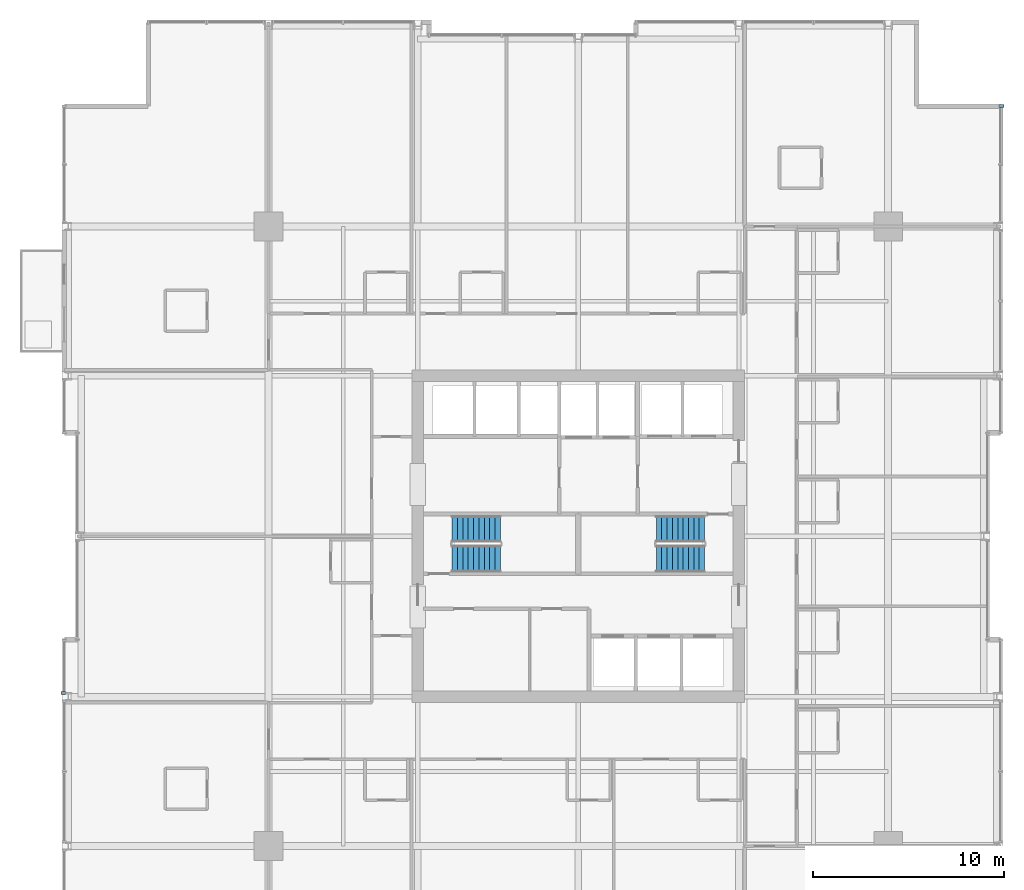
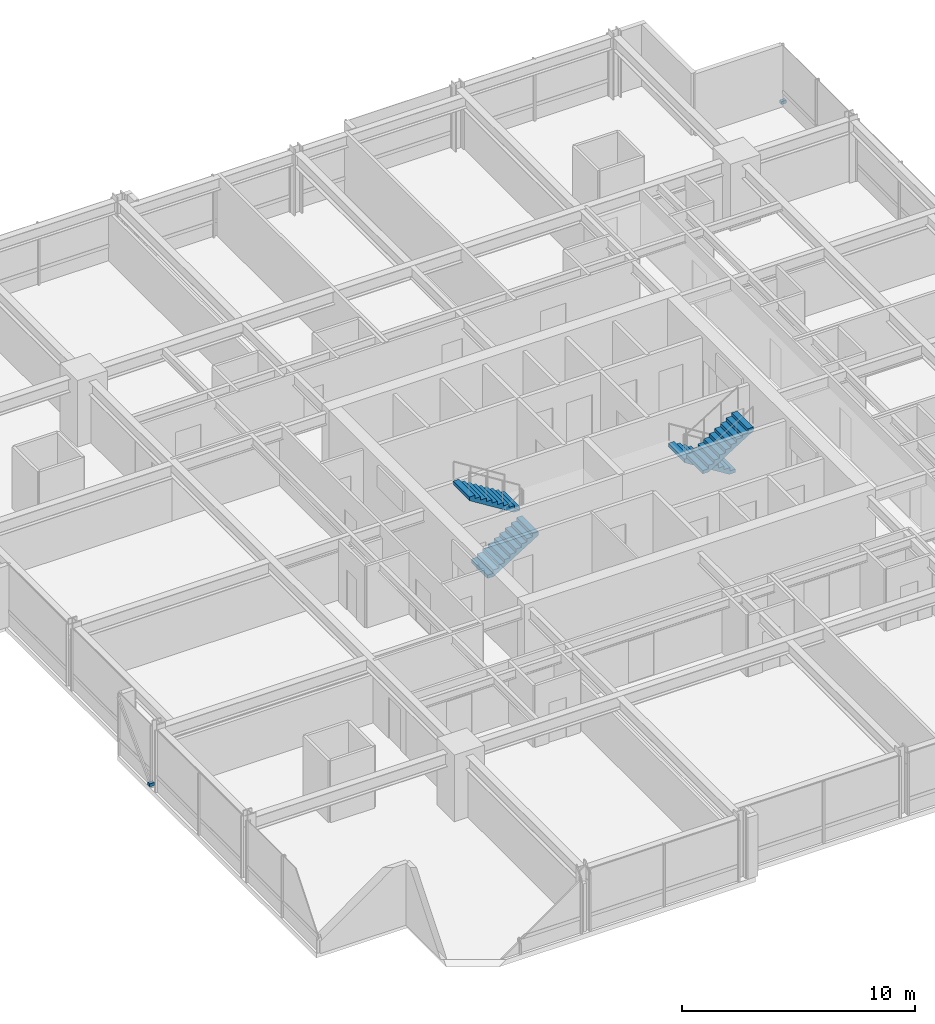
# One storey, part 32 of 34: 4 stair flights, 2 discrete accessories, 2 elements without a shape of their own.
"""IFC4 building model written with IfcOpenShell, lengths in metres."""

import ifcopenshell
import ifcopenshell.guid

model = None  # the IFC model being written
_history = None  # IfcOwnerHistory: only IFC2X3 demands one
_inside = {}  # id of a spatial element -> (the spatial element, [elements in it])
_under = {}  # id of a project, library or spatial element -> (it, [spatial elements below it])
_declared = {}  # id of a project -> (the project, [libraries it declares])
_typed = {}  # id of a type object -> (the type object, [elements of that type])
_made_of = {}  # id of a material, layer set ... -> (it, [elements and type objects made of it])


def new_model(schema):
    """Start an empty IFC model of exactly this schema.

    Asked for "IFC4X3", IfcOpenShell would pick the latest addendum, in which some entities
    have other attributes; the version numbers below select the first issue.
    IFC2X3 requires an IfcOwnerHistory on every rooted entity: one is made here for all.
    """
    global model, _history
    if schema == "IFC4X3":
        model = ifcopenshell.file(schema_version=(4, 3, 0, 0))
    else:
        model = ifcopenshell.file(schema=schema)
    _inside.clear()
    _under.clear()
    _declared.clear()
    _typed.clear()
    _made_of.clear()
    _history = None
    if model.schema == "IFC2X3":
        org = make("IfcOrganization", Name="unknown")
        user = make(
            "IfcPersonAndOrganization",
            ThePerson=make("IfcPerson", FamilyName="unknown"),
            TheOrganization=org,
        )
        app = make(
            "IfcApplication",
            ApplicationDeveloper=org,
            Version="unknown",
            ApplicationFullName="unknown",
            ApplicationIdentifier="unknown",
        )
        _history = make(
            "IfcOwnerHistory",
            OwningUser=user,
            OwningApplication=app,
            ChangeAction="ADDED",
            CreationDate=0,
        )
    return model


def make(cls, **values):
    """One entity of the class cls with the attributes given. An attribute that is None is left unset."""
    return model.create_entity(
        cls, **{name: value for name, value in values.items() if value is not None}
    )


def rooted(cls, **values):
    """An entity with a GlobalId (a new one), such as an element, a storey or a relation."""
    return make(cls, GlobalId=ifcopenshell.guid.new(), OwnerHistory=_history, **values)


def si_unit(unit_type, name, prefix=None):
    """IfcSIUnit, for example si_unit("LENGTHUNIT", "METRE", prefix="MILLI")."""
    return make("IfcSIUnit", UnitType=unit_type, Prefix=prefix, Name=name)


def assignment(units):
    """IfcUnitAssignment: the units of a project."""
    return None if units is None else make("IfcUnitAssignment", Units=units)


def point(xyz):
    """IfcCartesianPoint."""
    return None if xyz is None else make("IfcCartesianPoint", Coordinates=xyz)


def direction(xyz):
    """IfcDirection."""
    return None if xyz is None else make("IfcDirection", DirectionRatios=xyz)


def frame(location, z_axis=None, x_axis=None):
    """IfcAxis2Placement3D, a coordinate frame: its origin and axes. An axis left out is left unset."""
    return make(
        "IfcAxis2Placement3D",
        Location=point(location),
        Axis=direction(z_axis),
        RefDirection=direction(x_axis),
    )


def frame_2d(location, x_axis=None):
    """IfcAxis2Placement2D, a coordinate frame in the plane: its origin and x axis."""
    return make(
        "IfcAxis2Placement2D", Location=point(location), RefDirection=direction(x_axis)
    )


def origin():
    """The frame at (0, 0, 0) with its axes left unset."""
    return frame((0.0, 0.0, 0.0))


def origin_2d():
    """The frame at (0, 0) in the plane with its x axis left unset."""
    return frame_2d((0.0, 0.0))


def place(relative_to, where):
    """IfcLocalPlacement: puts the frame where relative to a parent placement (None: the world)."""
    return make(
        "IfcLocalPlacement", PlacementRelTo=relative_to, RelativePlacement=where
    )


def context(
    kind, dimensions, precision=None, world=None, true_north=None, identifier=None
):
    """IfcGeometricRepresentationContext, for example the 3D "Model" context."""
    return make(
        "IfcGeometricRepresentationContext",
        ContextIdentifier=identifier,
        ContextType=kind,
        CoordinateSpaceDimension=dimensions,
        Precision=precision,
        WorldCoordinateSystem=world,
        TrueNorth=true_north,
    )


def subcontext(parent, identifier, kind, view, scale=None):
    """IfcGeometricRepresentationSubContext, for example "Body" below "Model"."""
    return make(
        "IfcGeometricRepresentationSubContext",
        ContextIdentifier=identifier,
        ContextType=kind,
        ParentContext=parent,
        TargetScale=scale,
        TargetView=view,
    )


def project(units=None, contexts=None):
    """IfcProject with its units and contexts."""
    return rooted(
        "IfcProject",
        Name="project",
        RepresentationContexts=contexts,
        UnitsInContext=assignment(units),
    )


def spatial(cls, under=None, at=None, **own):
    """A site, building, storey or space (cls), placed at a placement, below another one or the project."""
    s = rooted(cls, ObjectPlacement=at, **own)
    if under is not None:
        _under.setdefault(under.id(), (under, []))[1].append(s)
    return s


def polyline(points):
    """IfcPolyline through the points."""
    return make("IfcPolyline", Points=[point(p) for p in points])


def profile(cls, at=None, kind="AREA", **sizes):
    """A parametric profile (cls). Its sizes go by their IFC names, for example OverallWidth=200.0."""
    return make(cls, ProfileType=kind, Position=at, **sizes)


def rectangle(**sizes):
    """IfcRectangleProfileDef."""
    return profile("IfcRectangleProfileDef", **sizes)


def outline(outer, holes=None, kind="AREA"):
    """IfcArbitraryClosedProfileDef: a profile drawn as a closed curve; with holes, ...WithVoids."""
    if holes is None:
        return make("IfcArbitraryClosedProfileDef", ProfileType=kind, OuterCurve=outer)
    return make(
        "IfcArbitraryProfileDefWithVoids",
        ProfileType=kind,
        OuterCurve=outer,
        InnerCurves=holes,
    )


def extrude(swept, where, along, depth):
    """IfcExtrudedAreaSolid: the profile swept, set in the frame where, extruded along a direction by depth."""
    return make(
        "IfcExtrudedAreaSolid",
        SweptArea=swept,
        Position=where,
        ExtrudedDirection=direction(along),
        Depth=depth,
    )


def shape(context_of_items, identifier, shape_type, items):
    """IfcShapeRepresentation: the items that make up one representation, for example the "Body"."""
    return make(
        "IfcShapeRepresentation",
        ContextOfItems=context_of_items,
        RepresentationIdentifier=identifier,
        RepresentationType=shape_type,
        Items=items,
    )


def material(Name=None, Category=None):
    """IfcMaterial."""
    return make("IfcMaterial", Name=Name, Category=Category)


def made_of(thing, what):
    """Note that an element or type object is made of a material, layer set ...; save() writes the relation."""
    if what is not None:
        _made_of.setdefault(what.id(), (what, []))[1].append(thing)
    return thing


def type_object(cls, material=None, **own):
    """A type object (cls), such as IfcWallType, which elements share."""
    return made_of(rooted(cls, **own), material)


def element(
    cls,
    number,
    at=None,
    inside=None,
    cuts=None,
    type_object=None,
    material=None,
    context=None,
    identifier="Body",
    shape_type=None,
    held_by="IfcProductDefinitionShape",
    body=None,
    shapes=None,
    **own,
):
    """One element of the class cls, such as IfcWall. Its Tag is "e" and its number.

    at: its placement. inside: the storey or other place that contains it. cuts: it is an
    opening in that element (IfcRelVoidsElement). A single representation is given by context,
    identifier, shape_type and body (its items); several are given by shapes. held_by: the class
    of the entity that holds the representations. save() writes the other relations.
    """
    e = rooted(cls, Tag="e%d" % number, ObjectPlacement=at, **own)
    if body is not None:
        shapes = [shape(context, identifier, shape_type, body)]
    if shapes is not None:
        e.Representation = make(held_by, Representations=shapes)
    if inside is not None:
        _inside.setdefault(inside.id(), (inside, []))[1].append(e)
    if cuts is not None:
        rooted(
            "IfcRelVoidsElement", RelatingBuildingElement=cuts, RelatedOpeningElement=e
        )
    if type_object is not None:
        _typed.setdefault(type_object.id(), (type_object, []))[1].append(e)
    return made_of(e, material)


def aggregate(whole, parts):
    """IfcRelAggregates: a whole, such as a stair, and the parts it consists of."""
    return rooted("IfcRelAggregates", RelatingObject=whole, RelatedObjects=parts)


def save(model, path):
    """Write the relations noted so far, then the file.

    IfcRelAggregates (storeys below a building ...), IfcRelContainedInSpatialStructure (elements
    in a storey), IfcRelDefinesByType, IfcRelAssociatesMaterial and IfcRelDeclares: one each for
    every whole, place, type object, material and project.
    """
    for whole, parts in _under.values():
        aggregate(whole, parts)
    for where, things in _inside.values():
        rooted(
            "IfcRelContainedInSpatialStructure",
            RelatedElements=things,
            RelatingStructure=where,
        )
    for kind, things in _typed.values():
        rooted("IfcRelDefinesByType", RelatedObjects=things, RelatingType=kind)
    for what, things in _made_of.values():
        rooted("IfcRelAssociatesMaterial", RelatedObjects=things, RelatingMaterial=what)
    for by, libraries in _declared.values():
        rooted("IfcRelDeclares", RelatingContext=by, RelatedDefinitions=libraries)
    model.write(path)


model = new_model("IFC4")

# Units and contexts
model_context = context("Model", 3, precision=1e-05, world=origin(), true_north=direction((0.0, 1.0)))
body_context = subcontext(model_context, "Body", "Model", "MODEL_VIEW")
ifc_project = project(units=[si_unit("LENGTHUNIT", "METRE"), si_unit("AREAUNIT", "SQUARE_METRE"), si_unit("VOLUMEUNIT", "CUBIC_METRE"), si_unit("PLANEANGLEUNIT", "RADIAN"), si_unit("MASSUNIT", "GRAM", prefix="KILO")], contexts=[model_context])

# Site, building, storey
site_placement = place(None, origin())
site = spatial("IfcSite", under=ifc_project, at=site_placement, CompositionType="ELEMENT")
building_placement = place(site_placement, origin())
building = spatial("IfcBuilding", under=site, at=building_placement, Name="Drelvath Grand Hotel", CompositionType="ELEMENT")
storey_placement = place(building_placement, frame((0.0, 0.0, 126.800048828125)))
storey = spatial("IfcBuildingStorey", under=building, at=storey_placement, Name="L32", CompositionType="ELEMENT", Elevation=126.800048828125)

# Stair, stair flights
ifc_material_1 = material(Name="Concrete C40/50", Category="concrete")
stair_type = type_object("IfcStairType", Name="Dogleg Exit Stair W1400-R175.0", PredefinedType="HALF_TURN_STAIR", material=ifc_material_1)
stair_1_placement = place(storey_placement, origin())
stair_1 = element("IfcStair", 1, at=stair_1_placement, inside=storey, type_object=stair_type, Name="L32 Core Exit Stair ST-1", PredefinedType="HALF_TURN_STAIR")
stair_flight_type = type_object("IfcStairFlightType", Name="Concrete Stair Flight W1400-R175.0", PredefinedType="STRAIGHT", material=ifc_material_1)
stair_flight_1_placement = place(storey_placement, frame((-6.60009765625, 25.820068359375, 0.0), z_axis=(0.0, 0.0, 1.0), x_axis=(1.0, 0.0, 0.0)))
stair_flight_1 = element("IfcStairFlight", 2, at=stair_flight_1_placement, type_object=stair_flight_type, Name="ST-1 flight 1", NumberOfRisers=10, NumberOfTreads=9, PredefinedType="STRAIGHT", RiserHeight=0.175, TreadLength=0.28, context=body_context, shape_type="SweptSolid", body=[
    extrude(outline(polyline([(0.0, 0.0), (0.0, 0.175048828125), (0.280029296875, 0.175048828125), (0.280029296875, 0.35009765625), (0.56005859375, 0.35009765625), (0.56005859375, 0.52490234375), (0.840087890625, 0.52490234375), (0.840087890625, 0.699951171875), (1.1201171875, 0.699951171875), (1.1201171875, 0.875), (1.39990234375, 0.875), (1.39990234375, 1.050048828125), (1.679931640625, 1.050048828125), (1.679931640625, 1.22509765625), (1.9599609375, 1.22509765625), (1.9599609375, 1.39990234375), (2.239990234375, 1.39990234375), (2.239990234375, 1.574951171875), (2.52001953125, 1.574951171875), (2.52001953125, 1.75), (2.52001953125, 1.386474609375), (0.3017578125, 0.0), (0.0, 0.0)])), frame((0.0, 0.699951171875, 0.0), z_axis=(0.0, -1.0, 0.0), x_axis=(1.0, 0.0, 0.0)), (0.0, 0.0, 1.0), 1.39990234375),
])
stair_flight_2_placement = place(storey_placement, frame((-4.080078125, 27.3798828125, 1.75), z_axis=(0.0, 0.0, 1.0), x_axis=(-1.0, 0.0, 0.0)))
stair_flight_2 = element("IfcStairFlight", 3, at=stair_flight_2_placement, type_object=stair_flight_type, Name="ST-1 flight 2", NumberOfRisers=10, NumberOfTreads=9, PredefinedType="STRAIGHT", RiserHeight=0.175, TreadLength=0.28, context=body_context, shape_type="SweptSolid", body=[
    extrude(outline(polyline([(0.0, 0.0), (0.0, 0.175048828125), (0.280029296875, 0.175048828125), (0.280029296875, 0.35009765625), (0.56005859375, 0.35009765625), (0.56005859375, 0.52490234375), (0.840087890625, 0.52490234375), (0.840087890625, 0.699951171875), (1.1201171875, 0.699951171875), (1.1201171875, 0.875), (1.39990234375, 0.875), (1.39990234375, 1.050048828125), (1.679931640625, 1.050048828125), (1.679931640625, 1.22509765625), (1.9599609375, 1.22509765625), (1.9599609375, 1.39990234375), (2.239990234375, 1.39990234375), (2.239990234375, 1.574951171875), (2.52001953125, 1.574951171875), (2.52001953125, 1.75), (2.52001953125, 1.386474609375), (0.3017578125, 0.0), (0.0, 0.0)])), frame((0.0, 0.699951171875, 0.0), z_axis=(0.0, -1.0, 0.0), x_axis=(1.0, 0.0, 0.0)), (0.0, 0.0, 1.0), 1.39990234375),
])
aggregate(stair_1, [stair_flight_1, stair_flight_2])

stair_2_placement = place(storey_placement, origin())
stair_2 = element("IfcStair", 4, at=stair_2_placement, inside=storey, type_object=stair_type, Name="L32 Core Exit Stair ST-2", PredefinedType="HALF_TURN_STAIR")
stair_flight_3_placement = place(storey_placement, frame((6.60009765625, 27.3798828125, 0.0), z_axis=(0.0, 0.0, 1.0), x_axis=(-1.0, 0.0, 0.0)))
stair_flight_3 = element("IfcStairFlight", 5, at=stair_flight_3_placement, type_object=stair_flight_type, Name="ST-2 flight 1", NumberOfRisers=10, NumberOfTreads=9, PredefinedType="STRAIGHT", RiserHeight=0.175, TreadLength=0.28, context=body_context, shape_type="SweptSolid", body=[
    extrude(outline(polyline([(0.0, 0.0), (0.0, 0.175048828125), (0.280029296875, 0.175048828125), (0.280029296875, 0.35009765625), (0.56005859375, 0.35009765625), (0.56005859375, 0.52490234375), (0.840087890625, 0.52490234375), (0.840087890625, 0.699951171875), (1.1201171875, 0.699951171875), (1.1201171875, 0.875), (1.39990234375, 0.875), (1.39990234375, 1.050048828125), (1.679931640625, 1.050048828125), (1.679931640625, 1.22509765625), (1.9599609375, 1.22509765625), (1.9599609375, 1.39990234375), (2.239990234375, 1.39990234375), (2.239990234375, 1.574951171875), (2.52001953125, 1.574951171875), (2.52001953125, 1.75), (2.52001953125, 1.386474609375), (0.3017578125, 0.0), (0.0, 0.0)])), frame((0.0, 0.699951171875, 0.0), z_axis=(0.0, -1.0, 0.0), x_axis=(1.0, 0.0, 0.0)), (0.0, 0.0, 1.0), 1.39990234375),
])
stair_flight_4_placement = place(storey_placement, frame((4.080078125, 25.820068359375, 1.75), z_axis=(0.0, 0.0, 1.0), x_axis=(1.0, 0.0, 0.0)))
stair_flight_4 = element("IfcStairFlight", 6, at=stair_flight_4_placement, type_object=stair_flight_type, Name="ST-2 flight 2", NumberOfRisers=10, NumberOfTreads=9, PredefinedType="STRAIGHT", RiserHeight=0.175, TreadLength=0.28, context=body_context, shape_type="SweptSolid", body=[
    extrude(outline(polyline([(0.0, 0.0), (0.0, 0.175048828125), (0.280029296875, 0.175048828125), (0.280029296875, 0.35009765625), (0.56005859375, 0.35009765625), (0.56005859375, 0.52490234375), (0.840087890625, 0.52490234375), (0.840087890625, 0.699951171875), (1.1201171875, 0.699951171875), (1.1201171875, 0.875), (1.39990234375, 0.875), (1.39990234375, 1.050048828125), (1.679931640625, 1.050048828125), (1.679931640625, 1.22509765625), (1.9599609375, 1.22509765625), (1.9599609375, 1.39990234375), (2.239990234375, 1.39990234375), (2.239990234375, 1.574951171875), (2.52001953125, 1.574951171875), (2.52001953125, 1.75), (2.52001953125, 1.386474609375), (0.3017578125, 0.0), (0.0, 0.0)])), frame((0.0, 0.699951171875, 0.0), z_axis=(0.0, -1.0, 0.0), x_axis=(1.0, 0.0, 0.0)), (0.0, 0.0, 1.0), 1.39990234375),
])
aggregate(stair_2, [stair_flight_3, stair_flight_4])

# Discrete accessories
ifc_material_2 = material(Name="Stainless Steel Grade 316", Category="steel")
discrete_accessory_type = type_object("IfcDiscreteAccessoryType", Name="Curtain Wall Fin Mounting Bracket Cleat", PredefinedType="BRACKET", material=ifc_material_2)
for number, where, z_axis, x_axis, name in (
    (7, (-26.93994140625, 18.809326171875, 0.10009765625), (0.0, 0.0, 1.0), (0.0, 1.0, 0.0), "L32 Fin Mounting Bracket CW03-L32-WS3-1"),
    (8, (22.139892578125, 49.5, 0.10009765625), (0.0, 0.0, 1.0), (0.0, -1.0, 0.0), "L32 Fin Mounting Bracket CW03-L32-EN3-1"),
):
    element("IfcDiscreteAccessory", number, at=place(storey_placement, frame(where, z_axis=z_axis, x_axis=x_axis)), inside=storey, type_object=discrete_accessory_type, Name=name, PredefinedType="BRACKET", context=body_context, shape_type="SweptSolid", body=[
        extrude(rectangle(XDim=0.159912109375, YDim=0.239990234375, at=origin_2d()), origin(), (0.0, 0.0, 1.0), 0.159912109375),
    ])

save(model, "model.ifc")
